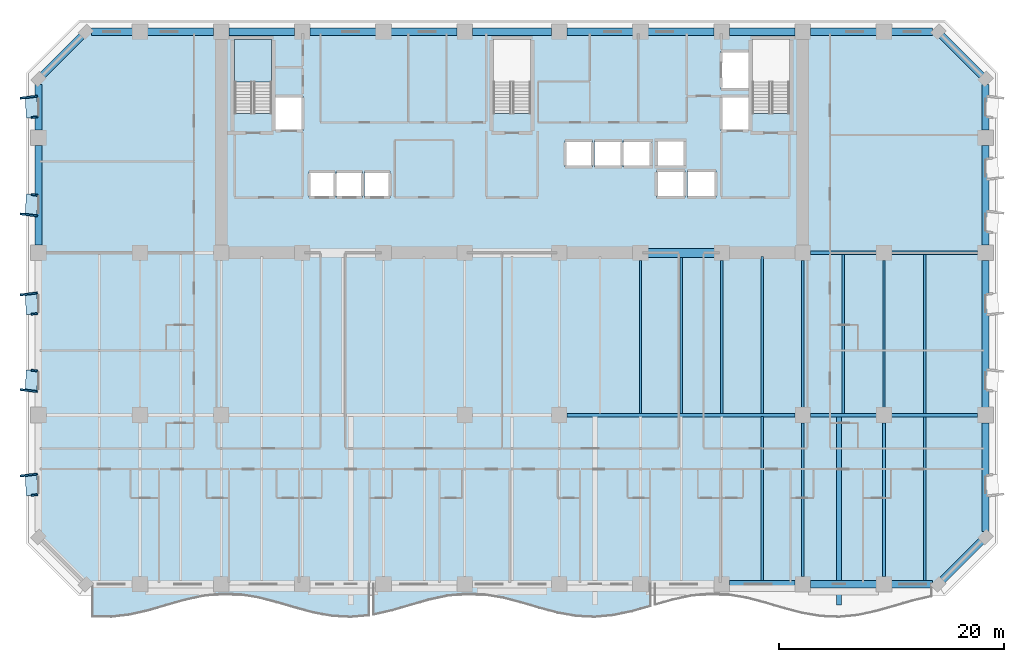
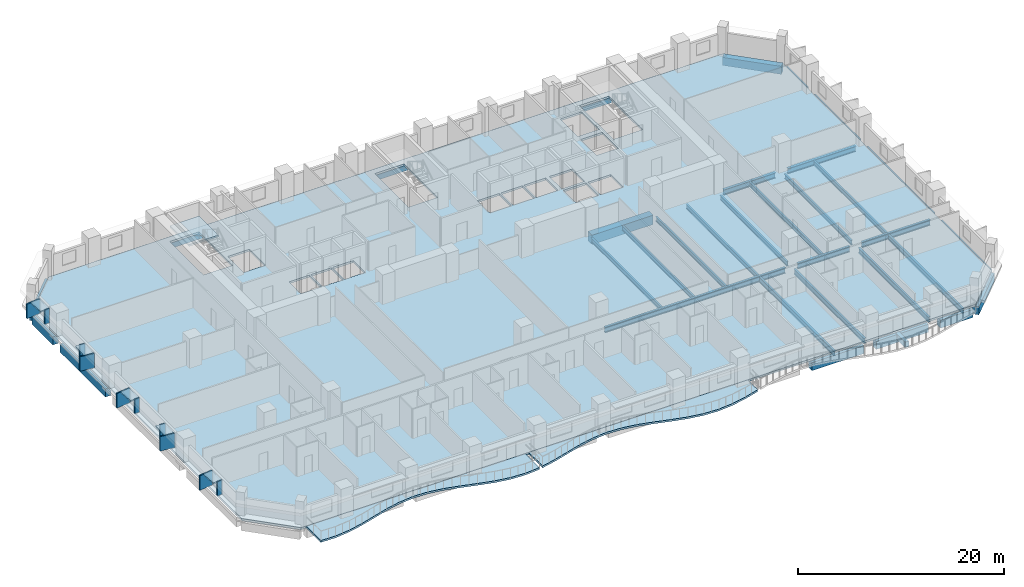
# One storey, part 2 of 15: 42 beams, 15 plates, 4 slabs, 1 element without a shape of its own.
"""IFC4 building model written with IfcOpenShell, lengths in metres."""

from ifc_helpers import new_model, si_unit, direction, frame, origin, origin_2d, place, context, subcontext, project, spatial, polyline, rectangle, i_section, outline, extrude, material, layer, layer_set, material_profile, profile_set, type_object, element, aggregate, save


model = new_model("IFC4")

# Units and contexts
model_context = context("Model", 3, precision=1e-05, world=origin(), true_north=direction((0.0, 1.0)))
body_context = subcontext(model_context, "Body", "Model", "MODEL_VIEW")
ifc_project = project(units=[si_unit("LENGTHUNIT", "METRE"), si_unit("AREAUNIT", "SQUARE_METRE"), si_unit("VOLUMEUNIT", "CUBIC_METRE"), si_unit("PLANEANGLEUNIT", "RADIAN"), si_unit("MASSUNIT", "GRAM", prefix="KILO")], contexts=[model_context])

# Site, building, storey
site_placement = place(None, origin())
site = spatial("IfcSite", under=ifc_project, at=site_placement, CompositionType="ELEMENT")
building_placement = place(site_placement, origin())
building = spatial("IfcBuilding", under=site, at=building_placement, Name="Kaelvorn Grand Hotel", CompositionType="ELEMENT")
storey_placement = place(building_placement, frame((0.0, 0.0, 42.64990234375)))
storey = spatial("IfcBuildingStorey", under=building, at=storey_placement, Name="L08", CompositionType="ELEMENT", Elevation=42.64990234375)

# Beams
ifc_material_1 = material(Name="Steel S355", Category="steel")
ifc_material_profile_1 = material_profile(ifc_material_1, i_section(OverallWidth=0.300048828125, OverallDepth=0.64990234375, WebThickness=0.01611328125, FlangeThickness=0.031005859375, FilletRadius=0.027099609375, at=origin_2d()), Name="HEB 650")
ifc_profile_set_1 = profile_set([ifc_material_profile_1], Name="Steel S355")
beam_type_1 = type_object("IfcBeamType", Name="BM-G-HEB650-S355", PredefinedType="BEAM", material=ifc_profile_set_1)
beam_1_placement = place(storey_placement, frame((46.885009765625, 15.0, -0.56494140625), z_axis=(1.0, 0.0, 0.0), x_axis=(0.0, 1.0, 0.0)))
element("IfcBeam", 1, at=beam_1_placement, inside=storey, type_object=beam_type_1, Name="L08 Primary Spine Steel Girder G-15 05", PredefinedType="BEAM", context=body_context, shape_type="SweptSolid", body=[
    extrude(i_section(OverallWidth=0.300048828125, OverallDepth=0.64990234375, WebThickness=0.01611328125, FlangeThickness=0.031005859375, FilletRadius=0.027099609375, at=origin_2d()), origin(), (0.0, 0.0, 1.0), 20.22998046875),
])
beam_2_placement = place(storey_placement, frame((68.485107421875, 15.0, -0.56494140625), z_axis=(1.0, 0.0, 0.0), x_axis=(0.0, 1.0, 0.0)))
element("IfcBeam", 2, at=beam_2_placement, inside=storey, type_object=beam_type_1, Name="L08 Primary Spine Steel Girder G-15 06", PredefinedType="BEAM", context=body_context, shape_type="SweptSolid", body=[
    extrude(i_section(OverallWidth=0.300048828125, OverallDepth=0.64990234375, WebThickness=0.01611328125, FlangeThickness=0.031005859375, FilletRadius=0.027099609375, at=origin_2d()), origin(), (0.0, 0.0, 1.0), 5.829833984375),
])
beam_3_placement = place(storey_placement, frame((75.68505859375, 15.0, -0.56494140625), z_axis=(1.0, 0.0, 0.0), x_axis=(0.0, 1.0, 0.0)))
element("IfcBeam", 3, at=beam_3_placement, inside=storey, type_object=beam_type_1, Name="L08 Primary Spine Steel Girder G-15 07", PredefinedType="BEAM", context=body_context, shape_type="SweptSolid", body=[
    extrude(i_section(OverallWidth=0.300048828125, OverallDepth=0.64990234375, WebThickness=0.01611328125, FlangeThickness=0.031005859375, FilletRadius=0.027099609375, at=origin_2d()), origin(), (0.0, 0.0, 1.0), 7.6298828125),
])
beam_4_placement = place(storey_placement, frame((68.485107421875, 29.39990234375, -0.56494140625), z_axis=(1.0, 0.0, 0.0), x_axis=(0.0, 1.0, 0.0)))
element("IfcBeam", 4, at=beam_4_placement, inside=storey, type_object=beam_type_1, Name="L08 East Core Wing Steel Girder G-29E 01", PredefinedType="BEAM", context=body_context, shape_type="SweptSolid", body=[
    extrude(i_section(OverallWidth=0.300048828125, OverallDepth=0.64990234375, WebThickness=0.01611328125, FlangeThickness=0.031005859375, FilletRadius=0.027099609375, at=origin_2d()), origin(), (0.0, 0.0, 1.0), 5.829833984375),
])
beam_5_placement = place(storey_placement, frame((75.68505859375, 29.39990234375, -0.56494140625), z_axis=(1.0, 0.0, 0.0), x_axis=(0.0, 1.0, 0.0)))
element("IfcBeam", 5, at=beam_5_placement, inside=storey, type_object=beam_type_1, Name="L08 East Core Wing Steel Girder G-29E 02", PredefinedType="BEAM", context=body_context, shape_type="SweptSolid", body=[
    extrude(i_section(OverallWidth=0.300048828125, OverallDepth=0.64990234375, WebThickness=0.01611328125, FlangeThickness=0.031005859375, FilletRadius=0.027099609375, at=origin_2d()), origin(), (0.0, 0.0, 1.0), 7.6298828125),
])
ifc_material_profile_2 = material_profile(ifc_material_1, i_section(OverallWidth=0.209228515625, OverallDepth=0.533203125, WebThickness=0.010009765625, FlangeThickness=0.015625, FilletRadius=0.0126953125, at=origin_2d()), Name="UB 533x210x92")
ifc_profile_set_2 = profile_set([ifc_material_profile_2], Name="Steel S355")
beam_type_2 = type_object("IfcBeamType", Name="BM-J-UB533-S355", PredefinedType="JOIST", material=ifc_profile_set_2)
beam_6_placement = place(storey_placement, frame((53.39990234375, 15.135009765625, -0.50634765625), z_axis=(0.0, 1.0, 0.0), x_axis=(-1.0, 0.0, 0.0)))
element("IfcBeam", 6, at=beam_6_placement, inside=storey, type_object=beam_type_2, Name="L08 Composite Floor Joist JM-15", PredefinedType="JOIST", context=body_context, shape_type="SweptSolid", body=[
    extrude(i_section(OverallWidth=0.209228515625, OverallDepth=0.533203125, WebThickness=0.010009765625, FlangeThickness=0.015625, FilletRadius=0.0126953125, at=origin_2d()), origin(), (0.0, 0.0, 1.0), 13.580078125),
])
beam_7_placement = place(storey_placement, frame((57.0, 15.135009765625, -0.50634765625), z_axis=(0.0, 1.0, 0.0), x_axis=(-1.0, 0.0, 0.0)))
element("IfcBeam", 7, at=beam_7_placement, inside=storey, type_object=beam_type_2, Name="L08 Composite Floor Joist JM-16", PredefinedType="JOIST", context=body_context, shape_type="SweptSolid", body=[
    extrude(i_section(OverallWidth=0.209228515625, OverallDepth=0.533203125, WebThickness=0.010009765625, FlangeThickness=0.015625, FilletRadius=0.0126953125, at=origin_2d()), origin(), (0.0, 0.0, 1.0), 13.925048828125),
])
beam_8_placement = place(storey_placement, frame((60.60009765625, 15.135009765625, -0.50634765625), z_axis=(0.0, 1.0, 0.0), x_axis=(-1.0, 0.0, 0.0)))
element("IfcBeam", 8, at=beam_8_placement, inside=storey, type_object=beam_type_2, Name="L08 Composite Floor Joist JM-17", PredefinedType="JOIST", context=body_context, shape_type="SweptSolid", body=[
    extrude(i_section(OverallWidth=0.209228515625, OverallDepth=0.533203125, WebThickness=0.010009765625, FlangeThickness=0.015625, FilletRadius=0.0126953125, at=origin_2d()), origin(), (0.0, 0.0, 1.0), 13.580078125),
])
beam_9_placement = place(storey_placement, frame((64.199951171875, 15.135009765625, -0.50634765625), z_axis=(0.0, 1.0, 0.0), x_axis=(-1.0, 0.0, 0.0)))
element("IfcBeam", 9, at=beam_9_placement, inside=storey, type_object=beam_type_2, Name="L08 Composite Floor Joist JM-18", PredefinedType="JOIST", context=body_context, shape_type="SweptSolid", body=[
    extrude(i_section(OverallWidth=0.209228515625, OverallDepth=0.533203125, WebThickness=0.010009765625, FlangeThickness=0.015625, FilletRadius=0.0126953125, at=origin_2d()), origin(), (0.0, 0.0, 1.0), 13.925048828125),
])
beam_10_placement = place(storey_placement, frame((67.800048828125, 15.68505859375, -0.50634765625), z_axis=(0.0, 1.0, 0.0), x_axis=(-1.0, 0.0, 0.0)))
element("IfcBeam", 10, at=beam_10_placement, inside=storey, type_object=beam_type_2, Name="L08 Composite Floor Joist JM-19", PredefinedType="JOIST", context=body_context, shape_type="SweptSolid", body=[
    extrude(i_section(OverallWidth=0.209228515625, OverallDepth=0.533203125, WebThickness=0.010009765625, FlangeThickness=0.015625, FilletRadius=0.0126953125, at=origin_2d()), origin(), (0.0, 0.0, 1.0), 13.030029296875),
])
beam_11_placement = place(storey_placement, frame((71.39990234375, 15.135009765625, -0.50634765625), z_axis=(0.0, 1.0, 0.0), x_axis=(-1.0, 0.0, 0.0)))
element("IfcBeam", 11, at=beam_11_placement, inside=storey, type_object=beam_type_2, Name="L08 Composite Floor Joist JM-20", PredefinedType="JOIST", context=body_context, shape_type="SweptSolid", body=[
    extrude(i_section(OverallWidth=0.209228515625, OverallDepth=0.533203125, WebThickness=0.010009765625, FlangeThickness=0.015625, FilletRadius=0.0126953125, at=origin_2d()), origin(), (0.0, 0.0, 1.0), 14.1298828125),
])
beam_12_placement = place(storey_placement, frame((75.0, 15.68505859375, -0.50634765625), z_axis=(0.0, 1.0, 0.0), x_axis=(-1.0, 0.0, 0.0)))
element("IfcBeam", 12, at=beam_12_placement, inside=storey, type_object=beam_type_2, Name="L08 Composite Floor Joist JM-21", PredefinedType="JOIST", context=body_context, shape_type="SweptSolid", body=[
    extrude(i_section(OverallWidth=0.209228515625, OverallDepth=0.533203125, WebThickness=0.010009765625, FlangeThickness=0.015625, FilletRadius=0.0126953125, at=origin_2d()), origin(), (0.0, 0.0, 1.0), 13.030029296875),
])
beam_13_placement = place(storey_placement, frame((78.60009765625, 15.135009765625, -0.50634765625), z_axis=(0.0, 1.0, 0.0), x_axis=(-1.0, 0.0, 0.0)))
element("IfcBeam", 13, at=beam_13_placement, inside=storey, type_object=beam_type_2, Name="L08 Composite Floor Joist JM-22", PredefinedType="JOIST", context=body_context, shape_type="SweptSolid", body=[
    extrude(i_section(OverallWidth=0.209228515625, OverallDepth=0.533203125, WebThickness=0.010009765625, FlangeThickness=0.015625, FilletRadius=0.0126953125, at=origin_2d()), origin(), (0.0, 0.0, 1.0), 14.1298828125),
])
ifc_material_profile_3 = material_profile(ifc_material_1, i_section(OverallWidth=0.22900390625, OverallDepth=0.6123046875, WebThickness=0.011962890625, FlangeThickness=0.01953125, FilletRadius=0.0126953125, at=origin_2d()), Name="UB 610x229x125")
ifc_profile_set_3 = profile_set([ifc_material_profile_3], Name="Steel S355")
beam_type_3 = type_object("IfcBeamType", Name="BM-J-UB610-S355", PredefinedType="JOIST", material=ifc_profile_set_3)
beam_14_placement = place(storey_placement, frame((64.199951171875, 0.31005859375, -0.5458984375), z_axis=(0.0, 1.0, 0.0), x_axis=(-1.0, 0.0, 0.0)))
element("IfcBeam", 14, at=beam_14_placement, inside=storey, type_object=beam_type_3, Name="L08 Composite Floor Joist JS-18", PredefinedType="JOIST", context=body_context, shape_type="SweptSolid", body=[
    extrude(i_section(OverallWidth=0.22900390625, OverallDepth=0.6123046875, WebThickness=0.011962890625, FlangeThickness=0.01953125, FilletRadius=0.0126953125, at=origin_2d()), origin(), (0.0, 0.0, 1.0), 14.554931640625),
])
for number, where, z_axis, x_axis, name in (
    (15, (67.800048828125, 0.68505859375, -0.5458984375), (0.0, 1.0, 0.0), (-1.0, 0.0, 0.0), "L08 Composite Floor Joist JS-19"),
    (16, (75.0, 0.68505859375, -0.5458984375), (0.0, 1.0, 0.0), (-1.0, 0.0, 0.0), "L08 Composite Floor Joist JS-21"),
):
    element("IfcBeam", number, at=place(storey_placement, frame(where, z_axis=z_axis, x_axis=x_axis)), inside=storey, type_object=beam_type_3, Name=name, PredefinedType="JOIST", context=body_context, shape_type="SweptSolid", body=[
        extrude(i_section(OverallWidth=0.22900390625, OverallDepth=0.6123046875, WebThickness=0.011962890625, FlangeThickness=0.01953125, FilletRadius=0.0126953125, at=origin_2d()), origin(), (0.0, 0.0, 1.0), 13.6298828125),
    ])
beam_15_placement = place(storey_placement, frame((78.60009765625, 0.31005859375, -0.5458984375), z_axis=(0.0, 1.0, 0.0), x_axis=(-1.0, 0.0, 0.0)))
element("IfcBeam", 17, at=beam_15_placement, inside=storey, type_object=beam_type_3, Name="L08 Composite Floor Joist JS-22", PredefinedType="JOIST", context=body_context, shape_type="SweptSolid", body=[
    extrude(i_section(OverallWidth=0.22900390625, OverallDepth=0.6123046875, WebThickness=0.011962890625, FlangeThickness=0.01953125, FilletRadius=0.0126953125, at=origin_2d()), origin(), (0.0, 0.0, 1.0), 14.554931640625),
])
ifc_material_2 = material(Name="Concrete C60/75", Category="concrete")
ifc_material_profile_4 = material_profile(ifc_material_2, rectangle(XDim=0.800048828125, YDim=1.10009765625, at=origin_2d()), Name="RC LINTEL 800x1100")
ifc_profile_set_4 = profile_set([ifc_material_profile_4], Name="Concrete C60/75")
beam_type_4 = type_object("IfcBeamType", Name="BM-LIN-800x1100-C60", PredefinedType="LINTEL", material=ifc_profile_set_4)
beam_16_placement = place(storey_placement, frame((53.580078125, 29.39990234375, -0.789794921875), z_axis=(1.0, 0.0, 0.0), x_axis=(0.0, 1.0, 0.0)))
element("IfcBeam", 18, at=beam_16_placement, inside=storey, type_object=beam_type_4, Name="L08 Rear-Core Coupling Lintel Beam CB1-03", PredefinedType="LINTEL", context=body_context, shape_type="SweptSolid", body=[
    extrude(rectangle(XDim=0.800048828125, YDim=1.10009765625, at=origin_2d()), origin(), (0.0, 0.0, 1.0), 6.83984375),
])
ifc_material_3 = material(Name="Concrete C40/50", Category="concrete")
ifc_material_profile_5 = material_profile(ifc_material_3, rectangle(XDim=0.449951171875, YDim=0.64990234375, at=origin_2d()), Name="RC RIB 450x650")
ifc_profile_set_5 = profile_set([ifc_material_profile_5], Name="Concrete C40/50")
beam_type_5 = type_object("IfcBeamType", Name="BM-RIB-450x650-C40", PredefinedType="SPANDREL", material=ifc_profile_set_5)
beam_17_placement = place(storey_placement, frame((71.022216796875, -1.85009765625, -0.544921875), z_axis=(0.0, 1.0, 0.0), x_axis=(-1.0, 0.0, 0.0)))
element("IfcBeam", 19, at=beam_17_placement, inside=storey, type_object=beam_type_5, Name="L08 Cantilevered Balcony Back-Span Rib RB1-3", PredefinedType="SPANDREL", context=body_context, shape_type="SweptSolid", body=[
    extrude(rectangle(XDim=0.449951171875, YDim=0.64990234375, at=origin_2d()), origin(), (0.0, 0.0, 1.0), 16.715087890625),
])
ifc_material_profile_6 = material_profile(ifc_material_2, rectangle(XDim=0.64990234375, YDim=0.949951171875, at=origin_2d()), Name="RC SPANDREL 650x950")
ifc_profile_set_6 = profile_set([ifc_material_profile_6], Name="Concrete C60/75")
beam_type_6 = type_object("IfcBeamType", Name="BM-SP-650x950-C60", PredefinedType="SPANDREL", material=ifc_profile_set_6)
beam_18_placement = place(storey_placement, frame((61.284912109375, 0.0, -0.71484375), z_axis=(1.0, 0.0, 0.0), x_axis=(0.0, 1.0, 0.0)))
element("IfcBeam", 20, at=beam_18_placement, inside=storey, type_object=beam_type_6, Name="L08 South Perimeter Spandrel 09", PredefinedType="SPANDREL", context=body_context, shape_type="SweptSolid", body=[
    extrude(rectangle(XDim=0.64990234375, YDim=0.949951171875, at=origin_2d()), origin(), (0.0, 0.0, 1.0), 5.830078125),
])
beam_19_placement = place(storey_placement, frame((68.485107421875, 0.0, -0.71484375), z_axis=(1.0, 0.0, 0.0), x_axis=(0.0, 1.0, 0.0)))
element("IfcBeam", 21, at=beam_19_placement, inside=storey, type_object=beam_type_6, Name="L08 South Perimeter Spandrel 10", PredefinedType="SPANDREL", context=body_context, shape_type="SweptSolid", body=[
    extrude(rectangle(XDim=0.64990234375, YDim=0.949951171875, at=origin_2d()), origin(), (0.0, 0.0, 1.0), 5.829833984375),
])
for number, where, z_axis, x_axis, name in (
    (22, (75.68505859375, 0.0, -0.71484375), (1.0, 0.0, 0.0), (0.0, 1.0, 0.0), "L08 South Perimeter Spandrel 11"),
    (23, (4.68505859375, 49.0, -0.71484375), (1.0, 0.0, 0.0), (0.0, 1.0, 0.0), "L08 North Perimeter Spandrel 01"),
):
    element("IfcBeam", number, at=place(storey_placement, frame(where, z_axis=z_axis, x_axis=x_axis)), inside=storey, type_object=beam_type_6, Name=name, PredefinedType="SPANDREL", context=body_context, shape_type="SweptSolid", body=[
        extrude(rectangle(XDim=0.64990234375, YDim=0.949951171875, at=origin_2d()), origin(), (0.0, 0.0, 1.0), 3.6298828125),
    ])
beam_20_placement = place(storey_placement, frame((9.68505859375, 49.0, -0.71484375), z_axis=(1.0, 0.0, 0.0), x_axis=(0.0, 1.0, 0.0)))
element("IfcBeam", 24, at=beam_20_placement, inside=storey, type_object=beam_type_6, Name="L08 North Perimeter Spandrel 02", PredefinedType="SPANDREL", context=body_context, shape_type="SweptSolid", body=[
    extrude(rectangle(XDim=0.64990234375, YDim=0.949951171875, at=origin_2d()), origin(), (0.0, 0.0, 1.0), 5.829833984375),
])
for number, where, z_axis, x_axis, name in (
    (25, (16.885009765625, 49.0, -0.71484375), (1.0, 0.0, 0.0), (0.0, 1.0, 0.0), "L08 North Perimeter Spandrel 03"),
    (26, (24.0849609375, 49.0, -0.71484375), (1.0, 0.0, 0.0), (0.0, 1.0, 0.0), "L08 North Perimeter Spandrel 04"),
    (27, (31.284912109375, 49.0, -0.71484375), (1.0, 0.0, 0.0), (0.0, 1.0, 0.0), "L08 North Perimeter Spandrel 05"),
):
    element("IfcBeam", number, at=place(storey_placement, frame(where, z_axis=z_axis, x_axis=x_axis)), inside=storey, type_object=beam_type_6, Name=name, PredefinedType="SPANDREL", context=body_context, shape_type="SweptSolid", body=[
        extrude(rectangle(XDim=0.64990234375, YDim=0.949951171875, at=origin_2d()), origin(), (0.0, 0.0, 1.0), 5.830078125),
    ])
beam_21_placement = place(storey_placement, frame((38.485107421875, 49.0, -0.71484375), z_axis=(1.0, 0.0, 0.0), x_axis=(0.0, 1.0, 0.0)))
element("IfcBeam", 28, at=beam_21_placement, inside=storey, type_object=beam_type_6, Name="L08 North Perimeter Spandrel 06", PredefinedType="SPANDREL", context=body_context, shape_type="SweptSolid", body=[
    extrude(rectangle(XDim=0.64990234375, YDim=0.949951171875, at=origin_2d()), origin(), (0.0, 0.0, 1.0), 7.02978515625),
])
for number, where, z_axis, x_axis, name in (
    (29, (46.885009765625, 49.0, -0.71484375), (1.0, 0.0, 0.0), (0.0, 1.0, 0.0), "L08 North Perimeter Spandrel 07"),
    (30, (54.0849609375, 49.0, -0.71484375), (1.0, 0.0, 0.0), (0.0, 1.0, 0.0), "L08 North Perimeter Spandrel 08"),
    (31, (61.284912109375, 49.0, -0.71484375), (1.0, 0.0, 0.0), (0.0, 1.0, 0.0), "L08 North Perimeter Spandrel 09"),
):
    element("IfcBeam", number, at=place(storey_placement, frame(where, z_axis=z_axis, x_axis=x_axis)), inside=storey, type_object=beam_type_6, Name=name, PredefinedType="SPANDREL", context=body_context, shape_type="SweptSolid", body=[
        extrude(rectangle(XDim=0.64990234375, YDim=0.949951171875, at=origin_2d()), origin(), (0.0, 0.0, 1.0), 5.830078125),
    ])
beam_22_placement = place(storey_placement, frame((68.485107421875, 49.0, -0.71484375), z_axis=(1.0, 0.0, 0.0), x_axis=(0.0, 1.0, 0.0)))
element("IfcBeam", 32, at=beam_22_placement, inside=storey, type_object=beam_type_6, Name="L08 North Perimeter Spandrel 10", PredefinedType="SPANDREL", context=body_context, shape_type="SweptSolid", body=[
    extrude(rectangle(XDim=0.64990234375, YDim=0.949951171875, at=origin_2d()), origin(), (0.0, 0.0, 1.0), 5.829833984375),
])
beam_23_placement = place(storey_placement, frame((75.68505859375, 49.0, -0.71484375), z_axis=(1.0, 0.0, 0.0), x_axis=(0.0, 1.0, 0.0)))
element("IfcBeam", 33, at=beam_23_placement, inside=storey, type_object=beam_type_6, Name="L08 North Perimeter Spandrel 11", PredefinedType="SPANDREL", context=body_context, shape_type="SweptSolid", body=[
    extrude(rectangle(XDim=0.64990234375, YDim=0.949951171875, at=origin_2d()), origin(), (0.0, 0.0, 1.0), 3.6298828125),
])
beam_24_placement = place(storey_placement, frame((0.0, 30.0849609375, -0.71484375), z_axis=(0.0, 1.0, 0.0), x_axis=(-1.0, 0.0, 0.0)))
element("IfcBeam", 34, at=beam_24_placement, inside=storey, type_object=beam_type_6, Name="L08 West Perimeter Spandrel 03", PredefinedType="SPANDREL", context=body_context, shape_type="SweptSolid", body=[
    extrude(rectangle(XDim=0.64990234375, YDim=0.949951171875, at=origin_2d()), origin(), (0.0, 0.0, 1.0), 8.830078125),
])
beam_25_placement = place(storey_placement, frame((0.0, 40.284912109375, -0.71484375), z_axis=(0.0, 1.0, 0.0), x_axis=(-1.0, 0.0, 0.0)))
element("IfcBeam", 35, at=beam_25_placement, inside=storey, type_object=beam_type_6, Name="L08 West Perimeter Spandrel 04", PredefinedType="SPANDREL", context=body_context, shape_type="SweptSolid", body=[
    extrude(rectangle(XDim=0.64990234375, YDim=0.949951171875, at=origin_2d()), origin(), (0.0, 0.0, 1.0), 4.030029296875),
])
beam_26_placement = place(storey_placement, frame((84.0, 4.68505859375, -0.71484375), z_axis=(0.0, 1.0, 0.0), x_axis=(-1.0, 0.0, 0.0)))
element("IfcBeam", 36, at=beam_26_placement, inside=storey, type_object=beam_type_6, Name="L08 East Perimeter Spandrel 01", PredefinedType="SPANDREL", context=body_context, shape_type="SweptSolid", body=[
    extrude(rectangle(XDim=0.64990234375, YDim=0.949951171875, at=origin_2d()), origin(), (0.0, 0.0, 1.0), 9.6298828125),
])
beam_27_placement = place(storey_placement, frame((84.0, 15.68505859375, -0.71484375), z_axis=(0.0, 1.0, 0.0), x_axis=(-1.0, 0.0, 0.0)))
element("IfcBeam", 37, at=beam_27_placement, inside=storey, type_object=beam_type_6, Name="L08 East Perimeter Spandrel 02", PredefinedType="SPANDREL", context=body_context, shape_type="SweptSolid", body=[
    extrude(rectangle(XDim=0.64990234375, YDim=0.949951171875, at=origin_2d()), origin(), (0.0, 0.0, 1.0), 13.030029296875),
])
beam_28_placement = place(storey_placement, frame((84.0, 30.0849609375, -0.71484375), z_axis=(0.0, 1.0, 0.0), x_axis=(-1.0, 0.0, 0.0)))
element("IfcBeam", 38, at=beam_28_placement, inside=storey, type_object=beam_type_6, Name="L08 East Perimeter Spandrel 03", PredefinedType="SPANDREL", context=body_context, shape_type="SweptSolid", body=[
    extrude(rectangle(XDim=0.64990234375, YDim=0.949951171875, at=origin_2d()), origin(), (0.0, 0.0, 1.0), 8.830078125),
])
beam_29_placement = place(storey_placement, frame((84.0, 40.284912109375, -0.71484375), z_axis=(0.0, 1.0, 0.0), x_axis=(-1.0, 0.0, 0.0)))
element("IfcBeam", 39, at=beam_29_placement, inside=storey, type_object=beam_type_6, Name="L08 East Perimeter Spandrel 04", PredefinedType="SPANDREL", context=body_context, shape_type="SweptSolid", body=[
    extrude(rectangle(XDim=0.64990234375, YDim=0.949951171875, at=origin_2d()), origin(), (0.0, 0.0, 1.0), 4.030029296875),
])
for number, where, z_axis, x_axis, name in (
    (40, (79.800048828125, 0.0, -0.71484375), (0.707106781187, 0.707106781187, 0.0), (-0.707106781187, 0.707106781187, 0.0), "L08 Chamfer Spandrel Beam 1"),
    (41, (84.0, 44.800048828125, -0.71484375), (-0.707106781187, 0.707106781187, 0.0), (-0.707106781187, -0.707106781187, 0.0), "L08 Chamfer Spandrel Beam 2"),
    (42, (4.199951171875, 49.0, -0.71484375), (-0.707106781187, -0.707106781187, 0.0), (0.707106781187, -0.707106781187, 0.0), "L08 Chamfer Spandrel Beam 3"),
):
    element("IfcBeam", number, at=place(storey_placement, frame(where, z_axis=z_axis, x_axis=x_axis)), inside=storey, type_object=beam_type_6, Name=name, PredefinedType="SPANDREL", context=body_context, shape_type="SweptSolid", body=[
        extrude(rectangle(XDim=0.64990234375, YDim=0.949951171875, at=origin_2d()), origin(), (0.0, 0.0, 1.0), 5.939697265625),
    ])

# Plates
ifc_material_4 = material(Name="Precast concrete C45/55", Category="concrete")
ifc_layer_1 = layer(ifc_material_4, 0.159912109375)
ifc_layer_set_1 = layer_set([ifc_layer_1], Name="Precast concrete C45/55")
plate_type_1 = type_object("IfcPlateType", Name="PL-FRAME-DEEP-1550", PredefinedType="USERDEFINED", material=ifc_layer_set_1)
for number, where, z_axis, x_axis, name in (
    (43, (-0.864990234375, 9.68994140625, 0.68994140625), (0.0, 0.0, 1.0), (-0.121869343405, 0.992546151641, 0.0), "L08 Tilted Precast Window Frame Fin R-W01"),
    (44, (-0.864990234375, 17.175048828125, 0.68994140625), (0.0, 0.0, 1.0), (0.121869343405, 0.992546151641, 0.0), "L08 Tilted Precast Window Frame Fin L-W02"),
    (45, (-0.864990234375, 25.7548828125, 0.68994140625), (0.0, 0.0, 1.0), (-0.121869343405, 0.992546151641, 0.0), "L08 Tilted Precast Window Frame Fin R-W03"),
    (46, (-0.864990234375, 32.760009765625, 0.68994140625), (0.0, 0.0, 1.0), (0.121869343405, 0.992546151641, 0.0), "L08 Tilted Precast Window Frame Fin L-W04"),
    (47, (-0.864990234375, 43.205078125, 0.68994140625), (0.0, 0.0, 1.0), (-0.121869343405, 0.992546151641, 0.0), "L08 Tilted Precast Window Frame Fin R-W05"),
):
    element("IfcPlate", number, at=place(storey_placement, frame(where, z_axis=z_axis, x_axis=x_axis)), inside=storey, type_object=plate_type_1, Name=name, ObjectType="FLANGE_PLATE", PredefinedType="USERDEFINED", context=body_context, shape_type="SweptSolid", body=[
        extrude(rectangle(XDim=0.159912109375, YDim=1.550048828125, at=origin_2d()), origin(), (0.0, 0.0, 1.0), 1.719970703125),
    ])
ifc_layer_2 = layer(ifc_material_4, 0.159912109375)
ifc_layer_set_2 = layer_set([ifc_layer_2], Name="Precast concrete C45/55")
plate_type_2 = type_object("IfcPlateType", Name="PL-FRAME-HEAD-1050", PredefinedType="USERDEFINED", material=ifc_layer_set_2)
for number, where, z_axis, x_axis, name in (
    (48, (-0.614990234375, 8.800048828125, 2.25), (0.0, 0.0, 1.0), (-0.054950179912, 0.998489097451, 0.0), "L08 Precast Window Frame Head Hood H-W01"),
    (49, (-0.614990234375, 18.06494140625, 2.25), (0.0, 0.0, 1.0), (0.054950179912, 0.998489097451, 0.0), "L08 Precast Window Frame Head Hood H-W02"),
    (50, (-0.614990234375, 24.864990234375, 2.25), (0.0, 0.0, 1.0), (-0.054950179912, 0.998489097451, 0.0), "L08 Precast Window Frame Head Hood H-W03"),
    (51, (-0.614990234375, 33.64990234375, 2.25), (0.0, 0.0, 1.0), (0.054950179912, 0.998489097451, 0.0), "L08 Precast Window Frame Head Hood H-W04"),
    (52, (-0.614990234375, 42.31494140625, 2.25), (0.0, 0.0, 1.0), (-0.054950179912, 0.998489097451, 0.0), "L08 Precast Window Frame Head Hood H-W05"),
):
    element("IfcPlate", number, at=place(storey_placement, frame(where, z_axis=z_axis, x_axis=x_axis)), inside=storey, type_object=plate_type_2, Name=name, ObjectType="FLANGE_PLATE", PredefinedType="USERDEFINED", context=body_context, shape_type="SweptSolid", body=[
        extrude(rectangle(XDim=1.860107421875, YDim=1.050048828125, at=origin_2d()), origin(), (0.0, 0.0, 1.0), 0.159912109375),
    ])
ifc_layer_3 = layer(ifc_material_4, 0.159912109375)
ifc_layer_set_3 = layer_set([ifc_layer_3], Name="Precast concrete C45/55")
plate_type_3 = type_object("IfcPlateType", Name="PL-FRAME-SHAL-550", PredefinedType="USERDEFINED", material=ifc_layer_set_3)
for number, where, z_axis, x_axis, name in (
    (53, (-0.364990234375, 7.909912109375, 0.68994140625), (0.0, 0.0, 1.0), (-0.121869343405, 0.992546151641, 0.0), "L08 Tilted Precast Window Frame Fin L-W01"),
    (54, (-0.364990234375, 18.955078125, 0.68994140625), (0.0, 0.0, 1.0), (0.121869343405, 0.992546151641, 0.0), "L08 Tilted Precast Window Frame Fin R-W02"),
    (55, (-0.364990234375, 23.97509765625, 0.68994140625), (0.0, 0.0, 1.0), (-0.121869343405, 0.992546151641, 0.0), "L08 Tilted Precast Window Frame Fin L-W03"),
    (56, (-0.364990234375, 34.5400390625, 0.68994140625), (0.0, 0.0, 1.0), (0.121869343405, 0.992546151641, 0.0), "L08 Tilted Precast Window Frame Fin R-W04"),
    (57, (-0.364990234375, 41.425048828125, 0.68994140625), (0.0, 0.0, 1.0), (-0.121869343405, 0.992546151641, 0.0), "L08 Tilted Precast Window Frame Fin L-W05"),
):
    element("IfcPlate", number, at=place(storey_placement, frame(where, z_axis=z_axis, x_axis=x_axis)), inside=storey, type_object=plate_type_3, Name=name, ObjectType="FLANGE_PLATE", PredefinedType="USERDEFINED", context=body_context, shape_type="SweptSolid", body=[
        extrude(rectangle(XDim=0.159912109375, YDim=0.550048828125, at=origin_2d()), origin(), (0.0, 0.0, 1.0), 1.719970703125),
    ])

# Slabs
ifc_layer_4 = layer(ifc_material_3, 0.219970703125)
ifc_layer_set_4 = layer_set([ifc_layer_4], Name="Concrete C40/50")
slab_type_1 = type_object("IfcSlabType", Name="SLB-BALC-220-C40", PredefinedType="FLOOR", material=ifc_layer_set_4)
slab_1_placement = place(storey_placement, frame((0.0, 0.0, -0.219970703125)))
element("IfcSlab", 58, at=slab_1_placement, inside=storey, type_object=slab_type_1, Name="L08 Scalloped Wave Balcony Slab 1", PredefinedType="FLOOR", context=body_context, shape_type="SweptSolid", body=[
    extrude(outline(polyline([(4.800048828125, -2.849853515625), (6.435546875, -2.88671875), (8.071044921875, -2.69873046875), (9.706787109375, -2.327880859375), (11.34228515625, -1.8564453125), (12.977783203125, -1.38916015625), (14.61328125, -1.02978515625), (16.248779296875, -0.858154296875), (17.884521484375, -0.912353515625), (19.52001953125, -1.180419921875), (21.155517578125, -1.602783203125), (22.791015625, -2.08544921875), (24.4267578125, -2.521484375), (26.062255859375, -2.81396484375), (27.69775390625, -2.89794921875), (29.333251953125, -2.754638671875), (29.333251953125, 0.0), (4.800048828125, 0.0), (4.800048828125, -2.849853515625)])), origin(), (0.0, 0.0, 1.0), 0.219970703125),
])
slab_2_placement = place(storey_placement, frame((0.0, 0.0, -0.219970703125)))
element("IfcSlab", 59, at=slab_2_placement, inside=storey, type_object=slab_type_1, Name="L08 Scalloped Wave Balcony Slab 2", PredefinedType="FLOOR", context=body_context, shape_type="SweptSolid", body=[
    extrude(outline(polyline([(29.7333984375, -2.6875), (31.368896484375, -2.311279296875), (33.00439453125, -1.837890625), (34.639892578125, -1.372802734375), (36.275634765625, -1.019287109375), (37.9111328125, -0.85595703125), (39.546630859375, -0.918701171875), (41.18212890625, -1.194091796875), (42.81787109375, -1.62060546875), (44.453369140625, -2.103759765625), (46.0888671875, -2.535888671875), (47.724365234375, -2.8212890625), (49.360107421875, -2.896484375), (50.99560546875, -2.744873046875), (52.631103515625, -2.400146484375), (54.2666015625, -1.9384765625), (54.2666015625, 0.0), (29.7333984375, 0.0), (29.7333984375, -2.6875)])), origin(), (0.0, 0.0, 1.0), 0.219970703125),
])
ifc_layer_5 = layer(ifc_material_3, 0.239990234375)
ifc_layer_set_5 = layer_set([ifc_layer_5], Name="Concrete C40/50")
slab_type_2 = type_object("IfcSlabType", Name="SLB-FLR-240-C40", PredefinedType="FLOOR", material=ifc_layer_set_5)
slab_3_placement = place(storey_placement, frame((0.0, 0.0, -0.239990234375)))
element("IfcSlab", 60, at=slab_3_placement, inside=storey, type_object=slab_type_2, Name="L08 Indoor Suspended Floor Slab", PredefinedType="FLOOR", context=body_context, shape_type="SweptSolid", body=[
    extrude(outline(polyline([(4.199951171875, 0.0), (79.800048828125, 0.0), (84.0, 4.199951171875), (84.0, 44.800048828125), (79.800048828125, 49.0), (4.199951171875, 49.0), (0.0, 44.800048828125), (0.0, 4.199951171875), (4.199951171875, 0.0)]), holes=[polyline([(17.39990234375, 41.760009765625), (17.39990234375, 48.300048828125), (20.679931640625, 48.300048828125), (20.679931640625, 41.760009765625), (17.39990234375, 41.760009765625)]), polyline([(40.360107421875, 41.760009765625), (40.360107421875, 48.300048828125), (43.639892578125, 48.300048828125), (43.639892578125, 41.760009765625), (40.360107421875, 41.760009765625)]), polyline([(63.320068359375, 41.760009765625), (63.320068359375, 48.300048828125), (66.60009765625, 48.300048828125), (66.60009765625, 41.760009765625), (63.320068359375, 41.760009765625)]), polyline([(24.0, 34.300048828125), (24.0, 36.60009765625), (26.300048828125, 36.60009765625), (26.300048828125, 34.300048828125), (24.0, 34.300048828125)]), polyline([(26.449951171875, 34.300048828125), (26.449951171875, 36.60009765625), (28.75, 36.60009765625), (28.75, 34.300048828125), (26.449951171875, 34.300048828125)]), polyline([(28.89990234375, 34.300048828125), (28.89990234375, 36.60009765625), (31.199951171875, 36.60009765625), (31.199951171875, 34.300048828125), (28.89990234375, 34.300048828125)]), polyline([(46.699951171875, 37.0), (46.699951171875, 39.35009765625), (49.14990234375, 39.35009765625), (49.14990234375, 37.0), (46.699951171875, 37.0)]), polyline([(49.300048828125, 37.0), (49.300048828125, 39.35009765625), (51.75, 39.35009765625), (51.75, 37.0), (49.300048828125, 37.0)]), polyline([(51.89990234375, 37.0), (51.89990234375, 39.35009765625), (54.35009765625, 39.35009765625), (54.35009765625, 37.0), (51.89990234375, 37.0)]), polyline([(54.800048828125, 34.300048828125), (54.800048828125, 36.699951171875), (57.35009765625, 36.699951171875), (57.35009765625, 34.300048828125), (54.800048828125, 34.300048828125)]), polyline([(57.550048828125, 34.300048828125), (57.550048828125, 36.699951171875), (60.10009765625, 36.699951171875), (60.10009765625, 34.300048828125), (57.550048828125, 34.300048828125)]), polyline([(54.800048828125, 37.0), (54.800048828125, 39.39990234375), (57.35009765625, 39.39990234375), (57.35009765625, 37.0), (54.800048828125, 37.0)]), polyline([(21.0, 40.199951171875), (21.0, 43.300048828125), (23.449951171875, 43.300048828125), (23.449951171875, 40.199951171875), (21.0, 40.199951171875)]), polyline([(60.550048828125, 40.199951171875), (60.550048828125, 43.300048828125), (63.0, 43.300048828125), (63.0, 40.199951171875), (60.550048828125, 40.199951171875)]), polyline([(60.550048828125, 43.89990234375), (60.550048828125, 47.300048828125), (63.0, 47.300048828125), (63.0, 43.89990234375), (60.550048828125, 43.89990234375)])]), origin(), (0.0, 0.0, 1.0), 0.239990234375),
])

# Stair, slab
stair_type = type_object("IfcStairType", Name="STR-DOG-1560-R06", PredefinedType="HALF_TURN_STAIR", material=ifc_material_3)
stair_placement = place(storey_placement, origin())
stair = element("IfcStair", 61, at=stair_placement, inside=storey, type_object=stair_type, Name="L08 West Core Exit Stair ST1", PredefinedType="HALF_TURN_STAIR")
ifc_layer_6 = layer(ifc_material_3, 0.199951171875)
ifc_layer_set_6 = layer_set([ifc_layer_6], Name="Concrete C40/50")
slab_type_3 = type_object("IfcSlabType", Name="SLB-LAND-200-C40", PredefinedType="LANDING", material=ifc_layer_set_6)
slab_4_placement = place(storey_placement, frame((0.0, 0.0, 1.675048828125)))
slab_4 = element("IfcSlab", 62, at=slab_4_placement, type_object=slab_type_3, Name="ST1 landing 1", PredefinedType="LANDING", context=body_context, shape_type="SweptSolid", body=[
    extrude(outline(polyline([(20.679931640625, 44.56005859375), (20.679931640625, 48.300048828125), (17.39990234375, 48.300048828125), (17.39990234375, 44.56005859375), (20.679931640625, 44.56005859375)])), origin(), (0.0, 0.0, 1.0), 0.199951171875),
])
aggregate(stair, [slab_4])

save(model, "model.ifc")
